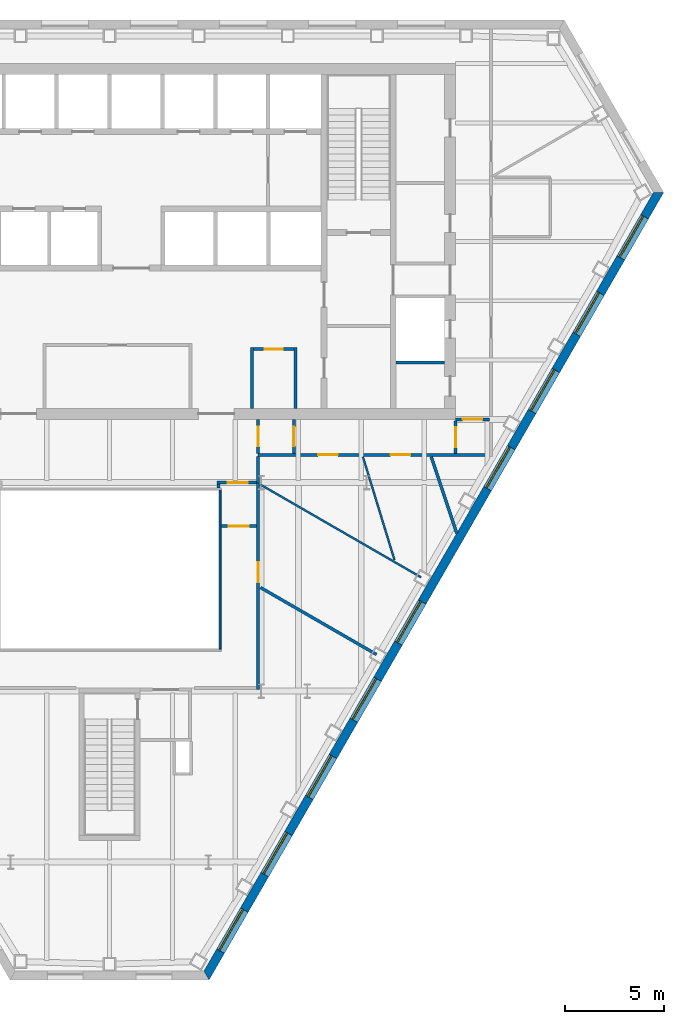
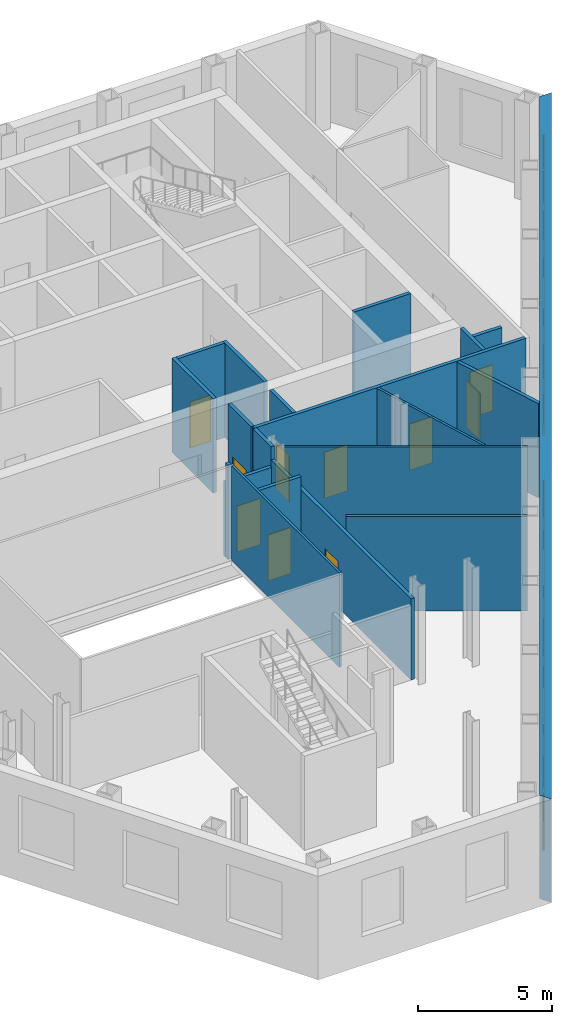
# One storey, part 5 of 11: 20 walls, 10 doors, 9 windows, 19 openings.
"""IFC4 building model written with IfcOpenShell, lengths in metres."""

from ifc_helpers import new_model, si_unit, direction, frame, frame_2d, origin, place, context, subcontext, project, spatial, polyline, rectangle, outline, extrude, material, layer, layer_set, type_object, element, fill, save


model = new_model("IFC4")

# Units and contexts
model_context = context("Model", 3, precision=1e-05, world=origin(), true_north=direction((0.0, 1.0)))
body_context = subcontext(model_context, "Body", "Model", "MODEL_VIEW")
ifc_project = project(units=[si_unit("LENGTHUNIT", "METRE"), si_unit("AREAUNIT", "SQUARE_METRE"), si_unit("VOLUMEUNIT", "CUBIC_METRE"), si_unit("PLANEANGLEUNIT", "RADIAN"), si_unit("MASSUNIT", "GRAM", prefix="KILO")], contexts=[model_context])

# Site, building, storey
site_placement = place(None, origin())
site = spatial("IfcSite", under=ifc_project, at=site_placement, CompositionType="ELEMENT")
building_placement = place(site_placement, origin())
building = spatial("IfcBuilding", under=site, at=building_placement, Name="Njiva Tower", CompositionType="ELEMENT")
storey_placement = place(building_placement, frame((0.0, 0.0, 106.8)))
storey = spatial("IfcBuildingStorey", under=building, at=storey_placement, Name="L22", CompositionType="ELEMENT", Elevation=106.8)

# Walls
ifc_material_1 = material(Name="Blockwork", Category="masonry")
ifc_layer_1 = layer(ifc_material_1, 0.15)
ifc_layer_set_1 = layer_set([ifc_layer_1], Name="Blockwork")
wall_type_1 = type_object("IfcWallType", Name="WT1 Compartment partition 150", PredefinedType="PARTITIONING", material=ifc_layer_set_1)
for number, where, z_axis, x_axis, name in (
    (1, (7.2, 0.55, 0.0), (0.0, 0.0, 1.0), (0.0, 1.0, 0.0), "Tenant reception wall west"),
    (2, (9.4, 0.55, 0.0), (0.0, 0.0, 1.0), (0.0, 1.0, 0.0), "Tenant reception wall east"),
):
    element("IfcWall", number, at=place(storey_placement, frame(where, z_axis=z_axis, x_axis=x_axis)), inside=storey, type_object=wall_type_1, Name=name, PredefinedType="PARTITIONING", context=body_context, shape_type="SweptSolid", body=[
        extrude(rectangle(XDim=3.075, YDim=0.15, at=frame_2d((1.5375, 0.0))), origin(), (0.0, 0.0, 1.0), 4.3),
    ])

# Wall, opening, door
wall_1_placement = place(storey_placement, frame((7.275, 3.55, 0.0), z_axis=(0.0, 0.0, 1.0), x_axis=(1.0, 0.0, 0.0)))
wall_1 = element("IfcWall", 3, at=wall_1_placement, inside=storey, type_object=wall_type_1, Name="Tenant reception wall north", PredefinedType="PARTITIONING", context=body_context, shape_type="SweptSolid", body=[
    extrude(rectangle(XDim=2.05, YDim=0.15, at=frame_2d((1.025, 0.0))), origin(), (0.0, 0.0, 1.0), 4.3),
])
opening_1_placement = place(wall_1_placement, frame((0.575, 0.0, 0.0)))
opening_1 = element("IfcOpeningElement", 4, at=opening_1_placement, cuts=wall_1, Name="Opening S07-D932", PredefinedType="OPENING", context=body_context, shape_type="SweptSolid", body=[
    extrude(rectangle(XDim=0.9, YDim=2.1, at=frame_2d((0.45, 1.05))), frame((0.0, 0.085, 0.0), z_axis=(0.0, -1.0, 0.0), x_axis=(1.0, 0.0, 0.0)), (0.0, 0.0, 1.0), 0.17),
])
ifc_material_2 = material(Name="Steel fire door, painted", Category="steel")
door_type_1 = type_object("IfcDoorType", Name="D6 Fire-rated door 900x2100", OperationType="SINGLE_SWING_LEFT", PredefinedType="DOOR", material=ifc_material_2)
door_1_placement = place(opening_1_placement, origin())
door_1 = element("IfcDoor", 5, at=door_1_placement, inside=storey, type_object=door_type_1, Name="Tenant reception door", OperationType="SINGLE_SWING_RIGHT", OverallHeight=2.1, OverallWidth=0.9, PredefinedType="DOOR", context=body_context, shape_type="SweptSolid", body=[
    extrude(rectangle(XDim=0.9, YDim=2.1, at=frame_2d((0.45, 1.05))), frame((0.0, 0.025, 0.0), z_axis=(0.0, -1.0, 0.0), x_axis=(1.0, 0.0, 0.0)), (0.0, 0.0, 1.0), 0.05),
])
fill(opening_1, door_1)

# Walls
ifc_material_3 = material(Name="Gypsum board on steel studs", Category="gypsum")
ifc_layer_2 = layer(ifc_material_3, 0.1)
ifc_layer_set_2 = layer_set([ifc_layer_2], Name="Gypsum board on steel studs")
wall_type_2 = type_object("IfcWallType", Name="WT20 Gypsum partition 100", PredefinedType="PARTITIONING", material=ifc_layer_set_2)
wall_2_placement = place(storey_placement, frame((7.62, -3.292, 0.0), z_axis=(0.0, 0.0, 1.0), x_axis=(0.866086324858, -0.499894466757, 0.0)))
element("IfcWall", 6, at=wall_2_placement, inside=storey, type_object=wall_type_2, Name="Partition S07-P023", PredefinedType="PARTITIONING", context=body_context, shape_type="SweptSolid", body=[
    extrude(rectangle(XDim=9.394, YDim=0.1, at=frame_2d((4.697, 0.0))), origin(), (0.0, 0.0, 1.0), 4.3),
])
wall_3_placement = place(storey_placement, frame((12.815, -1.89, 0.0), z_axis=(0.0, 0.0, 1.0), x_axis=(0.292567369611, -0.956244913314, 0.0)))
element("IfcWall", 7, at=wall_3_placement, inside=storey, type_object=wall_type_2, Name="Partition S07-P026", PredefinedType="PARTITIONING", context=body_context, shape_type="SweptSolid", body=[
    extrude(rectangle(XDim=5.462, YDim=0.1, at=frame_2d((2.731, 0.0))), origin(), (0.0, 0.0, 1.0), 4.3),
])

# Wall, opening, door
ifc_layer_3 = layer(ifc_material_3, 0.15)
ifc_layer_set_3 = layer_set([ifc_layer_3], Name="Gypsum board on steel studs")
wall_type_3 = type_object("IfcWallType", Name="WT21 Compartment wall 150", PredefinedType="PARTITIONING", material=ifc_layer_set_3)
wall_4_placement = place(storey_placement, frame((5.445, -3.2, 0.0), z_axis=(0.0, 0.0, 1.0), x_axis=(1.0, 0.0, 0.0)))
wall_4 = element("IfcWall", 8, at=wall_4_placement, inside=storey, type_object=wall_type_3, Name="Partition S07-P016", PredefinedType="PARTITIONING", context=body_context, shape_type="SweptSolid", body=[
    extrude(rectangle(XDim=2.0, YDim=0.15, at=frame_2d((1.0, 0.0))), origin(), (0.0, 0.0, 1.0), 3.39),
])
opening_2_placement = place(wall_4_placement, frame((0.538, 0.0, 0.0)))
opening_2 = element("IfcOpeningElement", 9, at=opening_2_placement, cuts=wall_4, Name="Opening S07-D010", PredefinedType="OPENING", context=body_context, shape_type="SweptSolid", body=[
    extrude(rectangle(XDim=1.0, YDim=2.1, at=frame_2d((0.5, 1.05))), frame((0.0, 0.085, 0.0), z_axis=(0.0, -1.0, 0.0), x_axis=(1.0, 0.0, 0.0)), (0.0, 0.0, 1.0), 0.17),
])
ifc_material_4 = material(Name="Steel fire door set", Category="steel")
door_type_2 = type_object("IfcDoorType", Name="D37 Fire door 1000x2100", OperationType="SINGLE_SWING_LEFT", PredefinedType="DOOR", material=ifc_material_4)
door_2_placement = place(opening_2_placement, origin())
door_2 = element("IfcDoor", 10, at=door_2_placement, inside=storey, type_object=door_type_2, Name="Door S07-D010", OperationType="SINGLE_SWING_LEFT", OverallHeight=2.1, OverallWidth=1.0, PredefinedType="DOOR", context=body_context, shape_type="SweptSolid", body=[
    extrude(rectangle(XDim=1.0, YDim=2.1, at=frame_2d((0.5, 1.05))), frame((0.0, 0.025, 0.0), z_axis=(0.0, -1.0, 0.0), x_axis=(1.0, 0.0, 0.0)), (0.0, 0.0, 1.0), 0.05),
])
fill(opening_2, door_2)

# Wall
wall_5_placement = place(storey_placement, frame((5.52, -3.48, 0.0), z_axis=(0.0, 0.0, 1.0), x_axis=(0.0, 1.0, 0.0)))
element("IfcWall", 11, at=wall_5_placement, inside=storey, type_object=wall_type_3, Name="Partition S07-P017", PredefinedType="PARTITIONING", context=body_context, shape_type="SweptSolid", body=[
    extrude(rectangle(XDim=0.205, YDim=0.15, at=frame_2d((0.1025, 0.0))), origin(), (0.0, 0.0, 1.0), 4.3),
])

# Wall, opening, door
wall_6_placement = place(storey_placement, frame((5.64, -5.4, 0.0), z_axis=(0.0, 0.0, 1.0), x_axis=(1.0, 0.0, 0.0)))
wall_6 = element("IfcWall", 12, at=wall_6_placement, inside=storey, type_object=wall_type_3, Name="Partition S07-P018", PredefinedType="PARTITIONING", context=body_context, shape_type="SweptSolid", body=[
    extrude(rectangle(XDim=1.805, YDim=0.15, at=frame_2d((0.9025, 0.0))), origin(), (0.0, 0.0, 1.0), 4.3),
])
opening_3_placement = place(wall_6_placement, frame((0.402, 0.0, 0.0)))
opening_3 = element("IfcOpeningElement", 13, at=opening_3_placement, cuts=wall_6, Name="Opening S07-D011", PredefinedType="OPENING", context=body_context, shape_type="SweptSolid", body=[
    extrude(rectangle(XDim=1.0, YDim=2.1, at=frame_2d((0.5, 1.05))), frame((0.0, 0.085, 0.0), z_axis=(0.0, -1.0, 0.0), x_axis=(1.0, 0.0, 0.0)), (0.0, 0.0, 1.0), 0.17),
])
door_3_placement = place(opening_3_placement, origin())
door_3 = element("IfcDoor", 14, at=door_3_placement, inside=storey, type_object=door_type_2, Name="Door S07-D011", OperationType="SINGLE_SWING_RIGHT", OverallHeight=2.1, OverallWidth=1.0, PredefinedType="DOOR", context=body_context, shape_type="SweptSolid", body=[
    extrude(rectangle(XDim=1.0, YDim=2.1, at=frame_2d((0.5, 1.05))), frame((0.0, 0.025, 0.0), z_axis=(0.0, -1.0, 0.0), x_axis=(1.0, 0.0, 0.0)), (0.0, 0.0, 1.0), 0.05),
])
fill(opening_3, door_3)

wall_7_placement = place(storey_placement, frame((7.52, -13.675, 0.0), z_axis=(0.0, 0.0, 1.0), x_axis=(0.0, 1.0, 0.0)))
wall_7 = element("IfcWall", 15, at=wall_7_placement, inside=storey, type_object=wall_type_3, Name="Partition S07-P019", PredefinedType="PARTITIONING", context=body_context, shape_type="SweptSolid", body=[
    extrude(rectangle(XDim=10.452, YDim=0.15, at=frame_2d((5.226, 0.0))), origin(), (0.0, 0.0, 1.0), 3.7),
])
opening_4_placement = place(wall_7_placement, frame((5.435, 0.0, 0.0)))
opening_4 = element("IfcOpeningElement", 16, at=opening_4_placement, cuts=wall_7, Name="Opening S07-D012", PredefinedType="OPENING", context=body_context, shape_type="SweptSolid", body=[
    extrude(rectangle(XDim=1.0, YDim=2.1, at=frame_2d((0.5, 1.05))), frame((0.0, 0.085, 0.0), z_axis=(0.0, -1.0, 0.0), x_axis=(1.0, 0.0, 0.0)), (0.0, 0.0, 1.0), 0.17),
])
door_4_placement = place(opening_4_placement, origin())
door_4 = element("IfcDoor", 17, at=door_4_placement, inside=storey, type_object=door_type_2, Name="Door S07-D012", OperationType="SINGLE_SWING_RIGHT", OverallHeight=2.1, OverallWidth=1.0, PredefinedType="DOOR", context=body_context, shape_type="SweptSolid", body=[
    extrude(rectangle(XDim=1.0, YDim=2.1, at=frame_2d((0.5, 1.05))), frame((0.0, 0.025, 0.0), z_axis=(0.0, -1.0, 0.0), x_axis=(1.0, 0.0, 0.0)), (0.0, 0.0, 1.0), 0.05),
])
fill(opening_4, door_4)

# Wall
wall_8_placement = place(storey_placement, frame((7.52, -3.223, 0.0), z_axis=(0.0, 0.0, 1.0), x_axis=(0.0, 1.0, 0.0)))
element("IfcWall", 18, at=wall_8_placement, inside=storey, type_object=wall_type_3, Name="Partition S07-P020", PredefinedType="PARTITIONING", context=body_context, shape_type="SweptSolid", body=[
    extrude(rectangle(XDim=1.348, YDim=0.15, at=frame_2d((0.674, 0.0))), origin(), (0.0, 0.0, 1.0), 4.3),
])

# Wall, openings, doors
wall_9_placement = place(storey_placement, frame((7.52, -1.8, 0.0), z_axis=(0.0, 0.0, 1.0), x_axis=(1.0, 0.0, 0.0)))
wall_9 = element("IfcWall", 19, at=wall_9_placement, inside=storey, type_object=wall_type_3, Name="Partition S07-P021", PredefinedType="PARTITIONING", context=body_context, shape_type="SweptSolid", body=[
    extrude(rectangle(XDim=11.705, YDim=0.15, at=frame_2d((5.8525, 0.0))), origin(), (0.0, 0.0, 1.0), 4.3),
])
opening_5_placement = place(wall_9_placement, frame((3.028, 0.0, 0.0)))
opening_5 = element("IfcOpeningElement", 20, at=opening_5_placement, cuts=wall_9, Name="Opening S07-D013", PredefinedType="OPENING", context=body_context, shape_type="SweptSolid", body=[
    extrude(rectangle(XDim=1.0, YDim=2.1, at=frame_2d((0.5, 1.05))), frame((0.0, 0.085, 0.0), z_axis=(0.0, -1.0, 0.0), x_axis=(1.0, 0.0, 0.0)), (0.0, 0.0, 1.0), 0.17),
])
opening_6_placement = place(wall_9_placement, frame((6.7, 0.0, 0.0)))
opening_6 = element("IfcOpeningElement", 21, at=opening_6_placement, cuts=wall_9, Name="Opening S07-D014", PredefinedType="OPENING", context=body_context, shape_type="SweptSolid", body=[
    extrude(rectangle(XDim=1.0, YDim=2.1, at=frame_2d((0.5, 1.05))), frame((0.0, 0.085, 0.0), z_axis=(0.0, -1.0, 0.0), x_axis=(1.0, 0.0, 0.0)), (0.0, 0.0, 1.0), 0.17),
])
door_5_placement = place(opening_5_placement, origin())
door_5 = element("IfcDoor", 22, at=door_5_placement, inside=storey, type_object=door_type_2, Name="Door S07-D013", OperationType="SINGLE_SWING_LEFT", OverallHeight=2.1, OverallWidth=1.0, PredefinedType="DOOR", context=body_context, shape_type="SweptSolid", body=[
    extrude(rectangle(XDim=1.0, YDim=2.1, at=frame_2d((0.5, 1.05))), frame((0.0, 0.025, 0.0), z_axis=(0.0, -1.0, 0.0), x_axis=(1.0, 0.0, 0.0)), (0.0, 0.0, 1.0), 0.05),
])
fill(opening_5, door_5)
door_6_placement = place(opening_6_placement, origin())
door_6 = element("IfcDoor", 23, at=door_6_placement, inside=storey, type_object=door_type_2, Name="Door S07-D014", OperationType="SINGLE_SWING_RIGHT", OverallHeight=2.1, OverallWidth=1.0, PredefinedType="DOOR", context=body_context, shape_type="SweptSolid", body=[
    extrude(rectangle(XDim=1.0, YDim=2.1, at=frame_2d((0.5, 1.05))), frame((0.0, 0.025, 0.0), z_axis=(0.0, -1.0, 0.0), x_axis=(1.0, 0.0, 0.0)), (0.0, 0.0, 1.0), 0.05),
])
fill(opening_6, door_6)

# Wall, opening, door
wall_10_placement = place(storey_placement, frame((7.52, -1.725, 0.0), z_axis=(0.0, 0.0, 1.0), x_axis=(0.0, 1.0, 0.0)))
wall_10 = element("IfcWall", 24, at=wall_10_placement, inside=storey, type_object=wall_type_3, Name="Partition S07-P022", PredefinedType="PARTITIONING", context=body_context, shape_type="SweptSolid", body=[
    extrude(rectangle(XDim=1.725, YDim=0.15, at=frame_2d((0.8625, 0.0))), origin(), (0.0, 0.0, 1.0), 4.3),
])
opening_7_placement = place(wall_10_placement, frame((0.363, 0.0, 0.0)))
opening_7 = element("IfcOpeningElement", 25, at=opening_7_placement, cuts=wall_10, Name="Opening S07-D015", PredefinedType="OPENING", context=body_context, shape_type="SweptSolid", body=[
    extrude(rectangle(XDim=1.0, YDim=2.1, at=frame_2d((0.5, 1.05))), frame((0.0, 0.085, 0.0), z_axis=(0.0, -1.0, 0.0), x_axis=(1.0, 0.0, 0.0)), (0.0, 0.0, 1.0), 0.17),
])
door_7_placement = place(opening_7_placement, origin())
door_7 = element("IfcDoor", 26, at=door_7_placement, inside=storey, type_object=door_type_2, Name="Door S07-D015", OperationType="SINGLE_SWING_RIGHT", OverallHeight=2.1, OverallWidth=1.0, PredefinedType="DOOR", context=body_context, shape_type="SweptSolid", body=[
    extrude(rectangle(XDim=1.0, YDim=2.1, at=frame_2d((0.5, 1.05))), frame((0.0, 0.025, 0.0), z_axis=(0.0, -1.0, 0.0), x_axis=(1.0, 0.0, 0.0)), (0.0, 0.0, 1.0), 0.05),
])
fill(opening_7, door_7)

# Wall
wall_11_placement = place(storey_placement, frame((7.632, -8.505, 0.0), z_axis=(0.0, 0.0, 1.0), x_axis=(0.866092229152, -0.499884237201, 0.0)))
element("IfcWall", 27, at=wall_11_placement, inside=storey, type_object=wall_type_3, Name="Partition S07-P024", PredefinedType="PARTITIONING", context=body_context, shape_type="SweptSolid", body=[
    extrude(rectangle(XDim=6.7776, YDim=0.15, at=frame_2d((3.3888, 0.0))), origin(), (0.0, 0.0, 1.0), 4.3),
])

# Wall, opening, door
wall_12_placement = place(storey_placement, frame((9.32, -1.725, 0.0), z_axis=(0.0, 0.0, 1.0), x_axis=(0.0, 1.0, 0.0)))
wall_12 = element("IfcWall", 28, at=wall_12_placement, inside=storey, type_object=wall_type_3, Name="Partition S07-P025", PredefinedType="PARTITIONING", context=body_context, shape_type="SweptSolid", body=[
    extrude(rectangle(XDim=1.725, YDim=0.15, at=frame_2d((0.8625, 0.0))), origin(), (0.0, 0.0, 1.0), 4.3),
])
opening_8_placement = place(wall_12_placement, frame((0.363, 0.0, 0.0)))
opening_8 = element("IfcOpeningElement", 29, at=opening_8_placement, cuts=wall_12, Name="Opening S07-D016", PredefinedType="OPENING", context=body_context, shape_type="SweptSolid", body=[
    extrude(rectangle(XDim=1.0, YDim=2.1, at=frame_2d((0.5, 1.05))), frame((0.0, 0.085, 0.0), z_axis=(0.0, -1.0, 0.0), x_axis=(1.0, 0.0, 0.0)), (0.0, 0.0, 1.0), 0.17),
])
door_8_placement = place(opening_8_placement, origin())
door_8 = element("IfcDoor", 30, at=door_8_placement, inside=storey, type_object=door_type_2, Name="Door S07-D016", OperationType="SINGLE_SWING_RIGHT", OverallHeight=2.1, OverallWidth=1.0, PredefinedType="DOOR", context=body_context, shape_type="SweptSolid", body=[
    extrude(rectangle(XDim=1.0, YDim=2.1, at=frame_2d((0.5, 1.05))), frame((0.0, 0.025, 0.0), z_axis=(0.0, -1.0, 0.0), x_axis=(1.0, 0.0, 0.0)), (0.0, 0.0, 1.0), 0.05),
])
fill(opening_8, door_8)

# Wall
wall_13_placement = place(storey_placement, frame((16.275, -1.899, 0.0), z_axis=(0.0, 0.0, 1.0), x_axis=(0.31563818617, -0.948879621149, 0.0)))
element("IfcWall", 31, at=wall_13_placement, inside=storey, type_object=wall_type_3, Name="Partition S07-P027", PredefinedType="PARTITIONING", context=body_context, shape_type="SweptSolid", body=[
    extrude(rectangle(XDim=4.0711, YDim=0.15, at=frame_2d((2.0356, 0.0))), origin(), (0.0, 0.0, 1.0), 4.3),
])

# Wall, opening, door
wall_14_placement = place(storey_placement, frame((17.5, -1.725, 0.0), z_axis=(0.0, 0.0, 1.0), x_axis=(0.0, 1.0, 0.0)))
wall_14 = element("IfcWall", 32, at=wall_14_placement, inside=storey, type_object=wall_type_3, Name="Partition S07-P028", PredefinedType="PARTITIONING", context=body_context, shape_type="SweptSolid", body=[
    extrude(rectangle(XDim=1.65, YDim=0.15, at=frame_2d((0.825, 0.0))), origin(), (0.0, 0.0, 1.0), 4.3),
])
opening_9_placement = place(wall_14_placement, frame((0.325, 0.0, 0.0)))
opening_9 = element("IfcOpeningElement", 33, at=opening_9_placement, cuts=wall_14, Name="Opening S07-D017", PredefinedType="OPENING", context=body_context, shape_type="SweptSolid", body=[
    extrude(rectangle(XDim=1.0, YDim=2.1, at=frame_2d((0.5, 1.05))), frame((0.0, 0.085, 0.0), z_axis=(0.0, -1.0, 0.0), x_axis=(1.0, 0.0, 0.0)), (0.0, 0.0, 1.0), 0.17),
])
door_9_placement = place(opening_9_placement, origin())
door_9 = element("IfcDoor", 34, at=door_9_placement, inside=storey, type_object=door_type_2, Name="Door S07-D017", OperationType="SINGLE_SWING_RIGHT", OverallHeight=2.1, OverallWidth=1.0, PredefinedType="DOOR", context=body_context, shape_type="SweptSolid", body=[
    extrude(rectangle(XDim=1.0, YDim=2.1, at=frame_2d((0.5, 1.05))), frame((0.0, 0.025, 0.0), z_axis=(0.0, -1.0, 0.0), x_axis=(1.0, 0.0, 0.0)), (0.0, 0.0, 1.0), 0.05),
])
fill(opening_9, door_9)

wall_15_placement = place(storey_placement, frame((17.5, 0.0, 0.0), z_axis=(0.0, 0.0, 1.0), x_axis=(1.0, 0.0, 0.0)))
wall_15 = element("IfcWall", 35, at=wall_15_placement, inside=storey, type_object=wall_type_3, Name="Partition S07-P029", PredefinedType="PARTITIONING", context=body_context, shape_type="SweptSolid", body=[
    extrude(rectangle(XDim=1.725, YDim=0.15, at=frame_2d((0.8625, 0.0))), origin(), (0.0, 0.0, 1.0), 3.7),
])
opening_10_placement = place(wall_15_placement, frame((0.363, 0.0, 0.0)))
opening_10 = element("IfcOpeningElement", 36, at=opening_10_placement, cuts=wall_15, Name="Opening S07-D018", PredefinedType="OPENING", context=body_context, shape_type="SweptSolid", body=[
    extrude(rectangle(XDim=1.0, YDim=2.1, at=frame_2d((0.5, 1.05))), frame((0.0, 0.085, 0.0), z_axis=(0.0, -1.0, 0.0), x_axis=(1.0, 0.0, 0.0)), (0.0, 0.0, 1.0), 0.17),
])
door_10_placement = place(opening_10_placement, origin())
door_10 = element("IfcDoor", 37, at=door_10_placement, inside=storey, type_object=door_type_2, Name="Door S07-D018", OperationType="SINGLE_SWING_LEFT", OverallHeight=2.1, OverallWidth=1.0, PredefinedType="DOOR", context=body_context, shape_type="SweptSolid", body=[
    extrude(rectangle(XDim=1.0, YDim=2.1, at=frame_2d((0.5, 1.05))), frame((0.0, 0.025, 0.0), z_axis=(0.0, -1.0, 0.0), x_axis=(1.0, 0.0, 0.0)), (0.0, 0.0, 1.0), 0.05),
])
fill(opening_10, door_10)

# Wall
ifc_layer_4 = layer(ifc_material_1, 0.15)
ifc_layer_set_4 = layer_set([ifc_layer_4], Name="Blockwork")
wall_type_4 = type_object("IfcWallType", Name="WT3 Riser partition 150", PredefinedType="PARTITIONING", material=ifc_layer_set_4)
wall_16_placement = place(storey_placement, frame((14.5, 2.8809, 0.0), z_axis=(0.0, 0.0, 1.0), x_axis=(1.0, 0.0, 0.0)))
element("IfcWall", 38, at=wall_16_placement, inside=storey, type_object=wall_type_4, Name="Partition strip E00", PredefinedType="PARTITIONING", context=body_context, shape_type="SweptSolid", body=[
    extrude(rectangle(XDim=2.45, YDim=0.15, at=frame_2d((1.225, 0.0))), origin(), (0.0, 0.0, 1.0), 4.3),
])

# Wall, openings, windows
ifc_material_5 = material(Name="Brick masonry", Category="masonry")
ifc_layer_5 = layer(ifc_material_5, 0.45)
ifc_layer_set_5 = layer_set([ifc_layer_5], Name="Brick masonry")
wall_type_5 = type_object("IfcWallType", Name="WT90 Brick pier and spandrel wall 450", PredefinedType="SOLIDWALL", material=ifc_layer_set_5)
wall_17_placement = place(storey_placement, frame((4.9051, -28.133, -0.4), z_axis=(0.0, 0.0, 1.0), x_axis=(0.500000711659, 0.866024992908, 0.0)))
wall_17 = element("IfcWall", 39, at=wall_17_placement, inside=storey, type_object=wall_type_5, Name="Facade wall SE", PredefinedType="SOLIDWALL", context=body_context, shape_type="SweptSolid", body=[
    extrude(outline(polyline([(-0.1299, -0.225), (45.87, -0.225), (45.6102, 0.225), (0.1299, 0.225), (-0.1299, -0.225)])), origin(), (0.0, 0.0, 1.0), 4.72),
])
opening_11_placement = place(wall_17_placement, frame((1.4242, 0.0, 1.3)))
opening_11 = element("IfcOpeningElement", 40, at=opening_11_placement, cuts=wall_17, Name="Opening S07-W24", PredefinedType="OPENING", context=body_context, shape_type="SweptSolid", body=[
    extrude(rectangle(XDim=2.4, YDim=2.6, at=frame_2d((1.2, 1.3))), frame((0.0, 0.235, 0.0), z_axis=(0.0, -1.0, 0.0), x_axis=(1.0, 0.0, 0.0)), (0.0, 0.0, 1.0), 0.47),
])
opening_12_placement = place(wall_17_placement, frame((5.8934, 0.0, 1.3)))
opening_12 = element("IfcOpeningElement", 41, at=opening_12_placement, cuts=wall_17, Name="Opening S07-W25", PredefinedType="OPENING", context=body_context, shape_type="SweptSolid", body=[
    extrude(rectangle(XDim=2.4, YDim=2.6, at=frame_2d((1.2, 1.3))), frame((0.0, 0.235, 0.0), z_axis=(0.0, -1.0, 0.0), x_axis=(1.0, 0.0, 0.0)), (0.0, 0.0, 1.0), 0.47),
])
opening_13_placement = place(wall_17_placement, frame((10.401, 0.0, 1.3)))
opening_13 = element("IfcOpeningElement", 42, at=opening_13_placement, cuts=wall_17, Name="Opening S07-W26", PredefinedType="OPENING", context=body_context, shape_type="SweptSolid", body=[
    extrude(rectangle(XDim=2.4, YDim=2.6, at=frame_2d((1.2, 1.3))), frame((0.0, 0.235, 0.0), z_axis=(0.0, -1.0, 0.0), x_axis=(1.0, 0.0, 0.0)), (0.0, 0.0, 1.0), 0.47),
])
opening_14_placement = place(wall_17_placement, frame((14.9087, 0.0, 1.3)))
opening_14 = element("IfcOpeningElement", 43, at=opening_14_placement, cuts=wall_17, Name="Opening S07-W27", PredefinedType="OPENING", context=body_context, shape_type="SweptSolid", body=[
    extrude(rectangle(XDim=2.4, YDim=2.6, at=frame_2d((1.2, 1.3))), frame((0.0, 0.235, 0.0), z_axis=(0.0, -1.0, 0.0), x_axis=(1.0, 0.0, 0.0)), (0.0, 0.0, 1.0), 0.47),
])
opening_15_placement = place(wall_17_placement, frame((19.4163, 0.0, 1.3)))
opening_15 = element("IfcOpeningElement", 44, at=opening_15_placement, cuts=wall_17, Name="Opening S07-W28", PredefinedType="OPENING", context=body_context, shape_type="SweptSolid", body=[
    extrude(rectangle(XDim=2.4, YDim=2.6, at=frame_2d((1.2, 1.3))), frame((0.0, 0.235, 0.0), z_axis=(0.0, -1.0, 0.0), x_axis=(1.0, 0.0, 0.0)), (0.0, 0.0, 1.0), 0.47),
])
opening_16_placement = place(wall_17_placement, frame((28.4315, 0.0, 1.3)))
opening_16 = element("IfcOpeningElement", 45, at=opening_16_placement, cuts=wall_17, Name="Opening S07-W29", PredefinedType="OPENING", context=body_context, shape_type="SweptSolid", body=[
    extrude(rectangle(XDim=2.4, YDim=2.6, at=frame_2d((1.2, 1.3))), frame((0.0, 0.235, 0.0), z_axis=(0.0, -1.0, 0.0), x_axis=(1.0, 0.0, 0.0)), (0.0, 0.0, 1.0), 0.47),
])
opening_17_placement = place(wall_17_placement, frame((32.9391, 0.0, 1.3)))
opening_17 = element("IfcOpeningElement", 46, at=opening_17_placement, cuts=wall_17, Name="Opening S07-W30", PredefinedType="OPENING", context=body_context, shape_type="SweptSolid", body=[
    extrude(rectangle(XDim=2.4, YDim=2.6, at=frame_2d((1.2, 1.3))), frame((0.0, 0.235, 0.0), z_axis=(0.0, -1.0, 0.0), x_axis=(1.0, 0.0, 0.0)), (0.0, 0.0, 1.0), 0.47),
])
opening_18_placement = place(wall_17_placement, frame((37.4468, 0.0, 1.3)))
opening_18 = element("IfcOpeningElement", 47, at=opening_18_placement, cuts=wall_17, Name="Opening S07-W31", PredefinedType="OPENING", context=body_context, shape_type="SweptSolid", body=[
    extrude(rectangle(XDim=2.4, YDim=2.6, at=frame_2d((1.2, 1.3))), frame((0.0, 0.235, 0.0), z_axis=(0.0, -1.0, 0.0), x_axis=(1.0, 0.0, 0.0)), (0.0, 0.0, 1.0), 0.47),
])
opening_19_placement = place(wall_17_placement, frame((41.916, 0.0, 1.3)))
opening_19 = element("IfcOpeningElement", 48, at=opening_19_placement, cuts=wall_17, Name="Opening S07-W32", PredefinedType="OPENING", context=body_context, shape_type="SweptSolid", body=[
    extrude(rectangle(XDim=2.4, YDim=2.6, at=frame_2d((1.2, 1.3))), frame((0.0, 0.235, 0.0), z_axis=(0.0, -1.0, 0.0), x_axis=(1.0, 0.0, 0.0)), (0.0, 0.0, 1.0), 0.47),
])
ifc_material_6 = material(Name="Clear glazing in aluminium frame", Category="aluminium")
window_type = type_object("IfcWindowType", Name="W92 Deep-set window 2400x2600", PartitioningType="SINGLE_PANEL", PredefinedType="WINDOW", material=ifc_material_6)
window_1_placement = place(opening_11_placement, origin())
window_1 = element("IfcWindow", 49, at=window_1_placement, inside=storey, type_object=window_type, Name="Window", OverallHeight=2.6, OverallWidth=2.4, PartitioningType="SINGLE_PANEL", PredefinedType="WINDOW", context=body_context, shape_type="SweptSolid", body=[
    extrude(rectangle(XDim=2.4, YDim=2.6, at=frame_2d((1.2, 1.3))), frame((0.0, 0.105, 0.0), z_axis=(0.0, -1.0, 0.0), x_axis=(1.0, 0.0, 0.0)), (0.0, 0.0, 1.0), 0.06),
])
fill(opening_11, window_1)
window_2_placement = place(opening_12_placement, origin())
window_2 = element("IfcWindow", 50, at=window_2_placement, inside=storey, type_object=window_type, Name="Window", OverallHeight=2.6, OverallWidth=2.4, PartitioningType="SINGLE_PANEL", PredefinedType="WINDOW", context=body_context, shape_type="SweptSolid", body=[
    extrude(rectangle(XDim=2.4, YDim=2.6, at=frame_2d((1.2, 1.3))), frame((0.0, 0.105, 0.0), z_axis=(0.0, -1.0, 0.0), x_axis=(1.0, 0.0, 0.0)), (0.0, 0.0, 1.0), 0.06),
])
fill(opening_12, window_2)
window_3_placement = place(opening_13_placement, origin())
window_3 = element("IfcWindow", 51, at=window_3_placement, inside=storey, type_object=window_type, Name="Window", OverallHeight=2.6, OverallWidth=2.4, PartitioningType="SINGLE_PANEL", PredefinedType="WINDOW", context=body_context, shape_type="SweptSolid", body=[
    extrude(rectangle(XDim=2.4, YDim=2.6, at=frame_2d((1.2, 1.3))), frame((0.0, 0.105, 0.0), z_axis=(0.0, -1.0, 0.0), x_axis=(1.0, 0.0, 0.0)), (0.0, 0.0, 1.0), 0.06),
])
fill(opening_13, window_3)
window_4_placement = place(opening_14_placement, origin())
window_4 = element("IfcWindow", 52, at=window_4_placement, inside=storey, type_object=window_type, Name="Window", OverallHeight=2.6, OverallWidth=2.4, PartitioningType="SINGLE_PANEL", PredefinedType="WINDOW", context=body_context, shape_type="SweptSolid", body=[
    extrude(rectangle(XDim=2.4, YDim=2.6, at=frame_2d((1.2, 1.3))), frame((0.0, 0.105, 0.0), z_axis=(0.0, -1.0, 0.0), x_axis=(1.0, 0.0, 0.0)), (0.0, 0.0, 1.0), 0.06),
])
fill(opening_14, window_4)
window_5_placement = place(opening_15_placement, origin())
window_5 = element("IfcWindow", 53, at=window_5_placement, inside=storey, type_object=window_type, Name="Window", OverallHeight=2.6, OverallWidth=2.4, PartitioningType="SINGLE_PANEL", PredefinedType="WINDOW", context=body_context, shape_type="SweptSolid", body=[
    extrude(rectangle(XDim=2.4, YDim=2.6, at=frame_2d((1.2, 1.3))), frame((0.0, 0.105, 0.0), z_axis=(0.0, -1.0, 0.0), x_axis=(1.0, 0.0, 0.0)), (0.0, 0.0, 1.0), 0.06),
])
fill(opening_15, window_5)
window_6_placement = place(opening_16_placement, origin())
window_6 = element("IfcWindow", 54, at=window_6_placement, inside=storey, type_object=window_type, Name="Window", OverallHeight=2.6, OverallWidth=2.4, PartitioningType="SINGLE_PANEL", PredefinedType="WINDOW", context=body_context, shape_type="SweptSolid", body=[
    extrude(rectangle(XDim=2.4, YDim=2.6, at=frame_2d((1.2, 1.3))), frame((0.0, 0.105, 0.0), z_axis=(0.0, -1.0, 0.0), x_axis=(1.0, 0.0, 0.0)), (0.0, 0.0, 1.0), 0.06),
])
fill(opening_16, window_6)
window_7_placement = place(opening_17_placement, origin())
window_7 = element("IfcWindow", 55, at=window_7_placement, inside=storey, type_object=window_type, Name="Window", OverallHeight=2.6, OverallWidth=2.4, PartitioningType="SINGLE_PANEL", PredefinedType="WINDOW", context=body_context, shape_type="SweptSolid", body=[
    extrude(rectangle(XDim=2.4, YDim=2.6, at=frame_2d((1.2, 1.3))), frame((0.0, 0.105, 0.0), z_axis=(0.0, -1.0, 0.0), x_axis=(1.0, 0.0, 0.0)), (0.0, 0.0, 1.0), 0.06),
])
fill(opening_17, window_7)
window_8_placement = place(opening_18_placement, origin())
window_8 = element("IfcWindow", 56, at=window_8_placement, inside=storey, type_object=window_type, Name="Window", OverallHeight=2.6, OverallWidth=2.4, PartitioningType="SINGLE_PANEL", PredefinedType="WINDOW", context=body_context, shape_type="SweptSolid", body=[
    extrude(rectangle(XDim=2.4, YDim=2.6, at=frame_2d((1.2, 1.3))), frame((0.0, 0.105, 0.0), z_axis=(0.0, -1.0, 0.0), x_axis=(1.0, 0.0, 0.0)), (0.0, 0.0, 1.0), 0.06),
])
fill(opening_18, window_8)
window_9_placement = place(opening_19_placement, origin())
window_9 = element("IfcWindow", 57, at=window_9_placement, inside=storey, type_object=window_type, Name="Window", OverallHeight=2.6, OverallWidth=2.4, PartitioningType="SINGLE_PANEL", PredefinedType="WINDOW", context=body_context, shape_type="SweptSolid", body=[
    extrude(rectangle(XDim=2.4, YDim=2.6, at=frame_2d((1.2, 1.3))), frame((0.0, 0.105, 0.0), z_axis=(0.0, -1.0, 0.0), x_axis=(1.0, 0.0, 0.0)), (0.0, 0.0, 1.0), 0.06),
])
fill(opening_19, window_9)

# Wall
ifc_material_7 = material(Name="Fire-resisting glazing EI 90", Category="glass")
ifc_layer_6 = layer(ifc_material_7, 0.1)
ifc_layer_set_6 = layer_set([ifc_layer_6], Name="Fire-resisting glazing EI 90")
wall_type_6 = type_object("IfcWallType", Name="WT95 Fire-resisting glazed screen EI 90", PredefinedType="PARTITIONING", material=ifc_layer_set_6)
wall_18_placement = place(storey_placement, frame((5.59, -11.62, 0.0), z_axis=(0.0, 0.0, 1.0), x_axis=(0.0, 1.0, 0.0)))
element("IfcWall", 58, at=wall_18_placement, inside=storey, type_object=wall_type_6, Name="Atrium fire screen east", PredefinedType="PARTITIONING", context=body_context, shape_type="SweptSolid", body=[
    extrude(rectangle(XDim=8.04, YDim=0.1, at=frame_2d((4.02, 0.0))), origin(), (0.0, 0.0, 1.0), 4.3),
])

save(model, "model.ifc")
